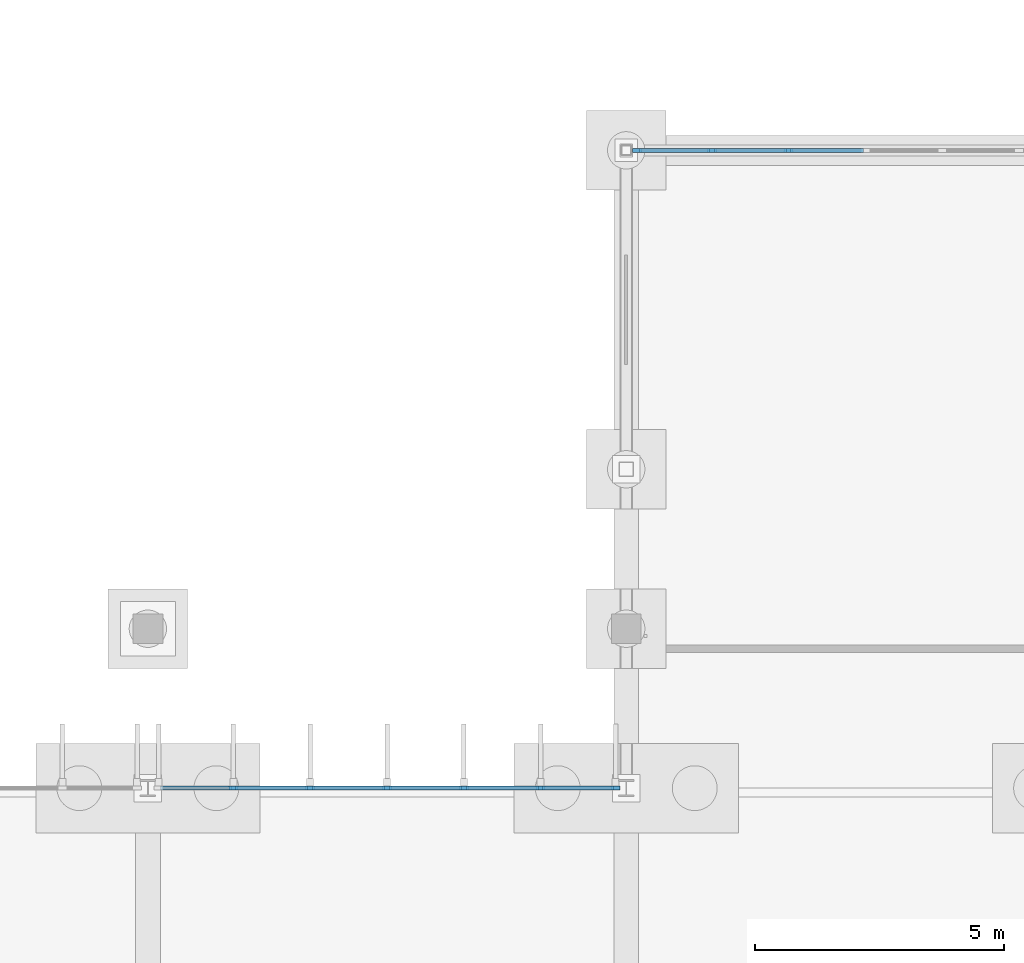
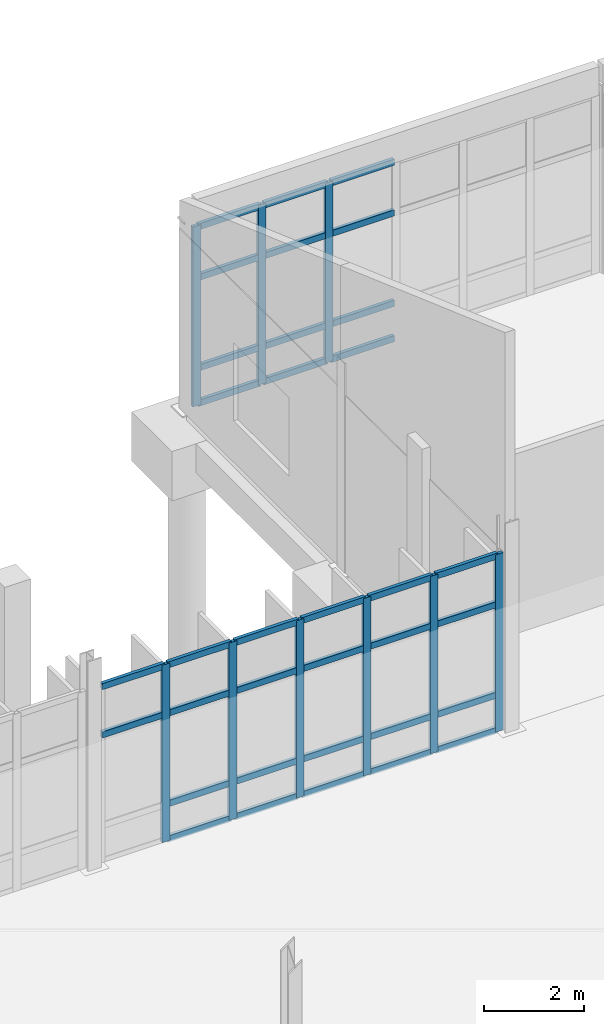
# One storey, part 26 of 111: 43 members, 2 elements without a shape of their own.
"""IFC4 building model written with IfcOpenShell, lengths in metres."""

from ifc_helpers import new_model, si_unit, direction, frame, origin, origin_2d, place, context, subcontext, project, spatial, rectangle, extrude, material, material_profile, profile_set, type_object, element, aggregate, save


model = new_model("IFC4")

# Units and contexts
model_context = context("Model", 3, precision=1e-05, world=origin(), true_north=direction((0.0, 1.0)))
body_context = subcontext(model_context, "Body", "Model", "MODEL_VIEW")
ifc_project = project(units=[si_unit("LENGTHUNIT", "METRE"), si_unit("AREAUNIT", "SQUARE_METRE"), si_unit("VOLUMEUNIT", "CUBIC_METRE"), si_unit("PLANEANGLEUNIT", "RADIAN"), si_unit("MASSUNIT", "GRAM", prefix="KILO")], contexts=[model_context])

# Site, building, storey
site_placement = place(None, origin())
site = spatial("IfcSite", under=ifc_project, at=site_placement, CompositionType="ELEMENT")
building_placement = place(site_placement, origin())
building = spatial("IfcBuilding", under=site, at=building_placement, Name="Dunescarp Central Library", CompositionType="ELEMENT")
storey_placement = place(building_placement, origin())
storey = spatial("IfcBuildingStorey", under=building, at=storey_placement, Name="L00", CompositionType="ELEMENT", Elevation=0.0)

# Curtain wall, members
ifc_material = material(Name="Marine-grade anodised aluminium 6063-T6", Category="aluminium")
curtain_wall_type = type_object("IfcCurtainWallType", Name="ARC-CW-STICK", PredefinedType="NOTDEFINED", material=ifc_material)
curtain_wall_1_placement = place(storey_placement, origin())
curtain_wall_1 = element("IfcCurtainWall", 1, at=curtain_wall_1_placement, inside=storey, type_object=curtain_wall_type, Name="L00 curtain wall CW-V2-047", PredefinedType="NOTDEFINED")
ifc_material_profile_1 = material_profile(ifc_material, rectangle(XDim=0.080078125, YDim=0.179931640625, at=origin_2d()), Name="AL 80x180")
ifc_profile_set_1 = profile_set([ifc_material_profile_1], Name="Marine-grade anodised aluminium 6063-T6")
member_type_1 = type_object("IfcMemberType", Name="ARC-CWM-180", PredefinedType="MULLION", material=ifc_profile_set_1)
member_1_placement = place(storey_placement, frame((49.716552734375, 36.800048828125, 0.0), z_axis=(0.0, 0.0, 1.0), x_axis=(0.0, 1.0, 0.0)))
member_1 = element("IfcMember", 2, at=member_1_placement, type_object=member_type_1, Name="CW-V2-047 mullion 2", PredefinedType="MULLION", context=body_context, shape_type="SweptSolid", body=[
    extrude(rectangle(XDim=0.080078125, YDim=0.179931640625, at=origin_2d()), origin(), (0.0, 0.0, 1.0), 4.31494140625),
])
member_2_placement = place(storey_placement, frame((51.25830078125, 36.800048828125, 0.0), z_axis=(0.0, 0.0, 1.0), x_axis=(0.0, 1.0, 0.0)))
member_2 = element("IfcMember", 3, at=member_2_placement, type_object=member_type_1, Name="CW-V2-047 mullion 3", PredefinedType="MULLION", context=body_context, shape_type="SweptSolid", body=[
    extrude(rectangle(XDim=0.080078125, YDim=0.179931640625, at=origin_2d()), origin(), (0.0, 0.0, 1.0), 4.31494140625),
])
member_3_placement = place(storey_placement, frame((52.800048828125, 36.800048828125, 0.0), z_axis=(0.0, 0.0, 1.0), x_axis=(0.0, 1.0, 0.0)))
member_3 = element("IfcMember", 4, at=member_3_placement, type_object=member_type_1, Name="CW-V2-047 mullion 4", PredefinedType="MULLION", context=body_context, shape_type="SweptSolid", body=[
    extrude(rectangle(XDim=0.080078125, YDim=0.179931640625, at=origin_2d()), origin(), (0.0, 0.0, 1.0), 4.31494140625),
])
member_4_placement = place(storey_placement, frame((54.341552734375, 36.800048828125, 0.0), z_axis=(0.0, 0.0, 1.0), x_axis=(0.0, 1.0, 0.0)))
member_4 = element("IfcMember", 5, at=member_4_placement, type_object=member_type_1, Name="CW-V2-047 mullion 5", PredefinedType="MULLION", context=body_context, shape_type="SweptSolid", body=[
    extrude(rectangle(XDim=0.080078125, YDim=0.179931640625, at=origin_2d()), origin(), (0.0, 0.0, 1.0), 4.31494140625),
])
member_5_placement = place(storey_placement, frame((55.88330078125, 36.800048828125, 0.0), z_axis=(0.0, 0.0, 1.0), x_axis=(0.0, 1.0, 0.0)))
member_5 = element("IfcMember", 6, at=member_5_placement, type_object=member_type_1, Name="CW-V2-047 mullion 6", PredefinedType="MULLION", context=body_context, shape_type="SweptSolid", body=[
    extrude(rectangle(XDim=0.080078125, YDim=0.179931640625, at=origin_2d()), origin(), (0.0, 0.0, 1.0), 4.31494140625),
])
member_6_placement = place(storey_placement, frame((57.385009765625, 36.800048828125, 0.0), z_axis=(0.0, 0.0, 1.0), x_axis=(0.0, 1.0, 0.0)))
member_6 = element("IfcMember", 7, at=member_6_placement, type_object=member_type_1, Name="CW-V2-047 mullion 7", PredefinedType="MULLION", context=body_context, shape_type="SweptSolid", body=[
    extrude(rectangle(XDim=0.080078125, YDim=0.179931640625, at=origin_2d()), origin(), (0.0, 0.0, 1.0), 4.31494140625),
])

curtain_wall_2_placement = place(storey_placement, origin())
curtain_wall_2 = element("IfcCurtainWall", 8, at=curtain_wall_2_placement, inside=storey, type_object=curtain_wall_type, Name="L00 curtain wall CW-CLN-189", PredefinedType="NOTDEFINED")
member_7_placement = place(storey_placement, frame((57.81494140625, 49.60009765625, 0.0), z_axis=(0.0, 0.0, 1.0), x_axis=(0.0, 1.0, 0.0)))
member_7 = element("IfcMember", 9, at=member_7_placement, type_object=member_type_1, Name="CW-CLN-189 mullion 1", PredefinedType="MULLION", context=body_context, shape_type="SweptSolid", body=[
    extrude(rectangle(XDim=0.080078125, YDim=0.179931640625, at=origin_2d()), origin(), (0.0, 0.0, 1.0), 4.3720703125),
])
member_8_placement = place(storey_placement, frame((59.316650390625, 49.60009765625, 0.0), z_axis=(0.0, 0.0, 1.0), x_axis=(0.0, 1.0, 0.0)))
member_8 = element("IfcMember", 10, at=member_8_placement, type_object=member_type_1, Name="CW-CLN-189 mullion 2", PredefinedType="MULLION", context=body_context, shape_type="SweptSolid", body=[
    extrude(rectangle(XDim=0.080078125, YDim=0.179931640625, at=origin_2d()), origin(), (0.0, 0.0, 1.0), 4.3720703125),
])
member_9_placement = place(storey_placement, frame((60.8583984375, 49.60009765625, 0.0), z_axis=(0.0, 0.0, 1.0), x_axis=(0.0, 1.0, 0.0)))
member_9 = element("IfcMember", 11, at=member_9_placement, type_object=member_type_1, Name="CW-CLN-189 mullion 3", PredefinedType="MULLION", context=body_context, shape_type="SweptSolid", body=[
    extrude(rectangle(XDim=0.080078125, YDim=0.179931640625, at=origin_2d()), origin(), (0.0, 0.0, 1.0), 4.3720703125),
])

# Member
ifc_material_profile_2 = material_profile(ifc_material, rectangle(XDim=0.080078125, YDim=0.14990234375, at=origin_2d()), Name="AL 80x150")
ifc_profile_set_2 = profile_set([ifc_material_profile_2], Name="Marine-grade anodised aluminium 6063-T6")
member_type_2 = type_object("IfcMemberType", Name="ARC-CWT-150", PredefinedType="USERDEFINED", material=ifc_profile_set_2)
member_10_placement = place(storey_placement, frame((48.2548828125, 36.800048828125, 3.10009765625), z_axis=(1.0, 0.0, 0.0), x_axis=(0.0, 1.0, 0.0)))
member_10 = element("IfcMember", 12, at=member_10_placement, type_object=member_type_2, Name="CW-V2-047 transom 1.3", ObjectType="TRANSOM", PredefinedType="USERDEFINED", context=body_context, shape_type="SweptSolid", body=[
    extrude(rectangle(XDim=0.080078125, YDim=0.14990234375, at=origin_2d()), origin(), (0.0, 0.0, 1.0), 1.421875),
])

member_11_placement = place(storey_placement, frame((48.2548828125, 36.800048828125, 4.27490234375), z_axis=(1.0, 0.0, 0.0), x_axis=(0.0, 1.0, 0.0)))
member_11 = element("IfcMember", 13, at=member_11_placement, type_object=member_type_2, Name="CW-V2-047 transom 1.4", ObjectType="TRANSOM", PredefinedType="USERDEFINED", context=body_context, shape_type="SweptSolid", body=[
    extrude(rectangle(XDim=0.080078125, YDim=0.14990234375, at=origin_2d()), origin(), (0.0, 0.0, 1.0), 1.421875),
])

member_12_placement = place(storey_placement, frame((49.756591796875, 36.800048828125, 0.0400390625), z_axis=(1.0, 0.0, 0.0), x_axis=(0.0, 1.0, 0.0)))
member_12 = element("IfcMember", 14, at=member_12_placement, type_object=member_type_2, Name="CW-V2-047 transom 2.1", ObjectType="TRANSOM", PredefinedType="USERDEFINED", context=body_context, shape_type="SweptSolid", body=[
    extrude(rectangle(XDim=0.080078125, YDim=0.14990234375, at=origin_2d()), origin(), (0.0, 0.0, 1.0), 1.461669921875),
])

member_13_placement = place(storey_placement, frame((49.756591796875, 36.800048828125, 0.89990234375), z_axis=(1.0, 0.0, 0.0), x_axis=(0.0, 1.0, 0.0)))
member_13 = element("IfcMember", 15, at=member_13_placement, type_object=member_type_2, Name="CW-V2-047 transom 2.2", ObjectType="TRANSOM", PredefinedType="USERDEFINED", context=body_context, shape_type="SweptSolid", body=[
    extrude(rectangle(XDim=0.080078125, YDim=0.14990234375, at=origin_2d()), origin(), (0.0, 0.0, 1.0), 1.461669921875),
])

member_14_placement = place(storey_placement, frame((49.756591796875, 36.800048828125, 3.10009765625), z_axis=(1.0, 0.0, 0.0), x_axis=(0.0, 1.0, 0.0)))
member_14 = element("IfcMember", 16, at=member_14_placement, type_object=member_type_2, Name="CW-V2-047 transom 2.3", ObjectType="TRANSOM", PredefinedType="USERDEFINED", context=body_context, shape_type="SweptSolid", body=[
    extrude(rectangle(XDim=0.080078125, YDim=0.14990234375, at=origin_2d()), origin(), (0.0, 0.0, 1.0), 1.461669921875),
])

member_15_placement = place(storey_placement, frame((49.756591796875, 36.800048828125, 4.27490234375), z_axis=(1.0, 0.0, 0.0), x_axis=(0.0, 1.0, 0.0)))
member_15 = element("IfcMember", 17, at=member_15_placement, type_object=member_type_2, Name="CW-V2-047 transom 2.4", ObjectType="TRANSOM", PredefinedType="USERDEFINED", context=body_context, shape_type="SweptSolid", body=[
    extrude(rectangle(XDim=0.080078125, YDim=0.14990234375, at=origin_2d()), origin(), (0.0, 0.0, 1.0), 1.461669921875),
])

member_16_placement = place(storey_placement, frame((51.29833984375, 36.800048828125, 0.0400390625), z_axis=(1.0, 0.0, 0.0), x_axis=(0.0, 1.0, 0.0)))
member_16 = element("IfcMember", 18, at=member_16_placement, type_object=member_type_2, Name="CW-V2-047 transom 3.1", ObjectType="TRANSOM", PredefinedType="USERDEFINED", context=body_context, shape_type="SweptSolid", body=[
    extrude(rectangle(XDim=0.080078125, YDim=0.14990234375, at=origin_2d()), origin(), (0.0, 0.0, 1.0), 1.461669921875),
])

member_17_placement = place(storey_placement, frame((51.29833984375, 36.800048828125, 0.89990234375), z_axis=(1.0, 0.0, 0.0), x_axis=(0.0, 1.0, 0.0)))
member_17 = element("IfcMember", 19, at=member_17_placement, type_object=member_type_2, Name="CW-V2-047 transom 3.2", ObjectType="TRANSOM", PredefinedType="USERDEFINED", context=body_context, shape_type="SweptSolid", body=[
    extrude(rectangle(XDim=0.080078125, YDim=0.14990234375, at=origin_2d()), origin(), (0.0, 0.0, 1.0), 1.461669921875),
])

member_18_placement = place(storey_placement, frame((51.29833984375, 36.800048828125, 3.10009765625), z_axis=(1.0, 0.0, 0.0), x_axis=(0.0, 1.0, 0.0)))
member_18 = element("IfcMember", 20, at=member_18_placement, type_object=member_type_2, Name="CW-V2-047 transom 3.3", ObjectType="TRANSOM", PredefinedType="USERDEFINED", context=body_context, shape_type="SweptSolid", body=[
    extrude(rectangle(XDim=0.080078125, YDim=0.14990234375, at=origin_2d()), origin(), (0.0, 0.0, 1.0), 1.461669921875),
])

member_19_placement = place(storey_placement, frame((51.29833984375, 36.800048828125, 4.27490234375), z_axis=(1.0, 0.0, 0.0), x_axis=(0.0, 1.0, 0.0)))
member_19 = element("IfcMember", 21, at=member_19_placement, type_object=member_type_2, Name="CW-V2-047 transom 3.4", ObjectType="TRANSOM", PredefinedType="USERDEFINED", context=body_context, shape_type="SweptSolid", body=[
    extrude(rectangle(XDim=0.080078125, YDim=0.14990234375, at=origin_2d()), origin(), (0.0, 0.0, 1.0), 1.461669921875),
])

member_20_placement = place(storey_placement, frame((52.840087890625, 36.800048828125, 0.0400390625), z_axis=(1.0, 0.0, 0.0), x_axis=(0.0, 1.0, 0.0)))
member_20 = element("IfcMember", 22, at=member_20_placement, type_object=member_type_2, Name="CW-V2-047 transom 4.1", ObjectType="TRANSOM", PredefinedType="USERDEFINED", context=body_context, shape_type="SweptSolid", body=[
    extrude(rectangle(XDim=0.080078125, YDim=0.14990234375, at=origin_2d()), origin(), (0.0, 0.0, 1.0), 1.461669921875),
])

member_21_placement = place(storey_placement, frame((52.840087890625, 36.800048828125, 0.89990234375), z_axis=(1.0, 0.0, 0.0), x_axis=(0.0, 1.0, 0.0)))
member_21 = element("IfcMember", 23, at=member_21_placement, type_object=member_type_2, Name="CW-V2-047 transom 4.2", ObjectType="TRANSOM", PredefinedType="USERDEFINED", context=body_context, shape_type="SweptSolid", body=[
    extrude(rectangle(XDim=0.080078125, YDim=0.14990234375, at=origin_2d()), origin(), (0.0, 0.0, 1.0), 1.461669921875),
])

member_22_placement = place(storey_placement, frame((52.840087890625, 36.800048828125, 3.10009765625), z_axis=(1.0, 0.0, 0.0), x_axis=(0.0, 1.0, 0.0)))
member_22 = element("IfcMember", 24, at=member_22_placement, type_object=member_type_2, Name="CW-V2-047 transom 4.3", ObjectType="TRANSOM", PredefinedType="USERDEFINED", context=body_context, shape_type="SweptSolid", body=[
    extrude(rectangle(XDim=0.080078125, YDim=0.14990234375, at=origin_2d()), origin(), (0.0, 0.0, 1.0), 1.461669921875),
])

member_23_placement = place(storey_placement, frame((52.840087890625, 36.800048828125, 4.27490234375), z_axis=(1.0, 0.0, 0.0), x_axis=(0.0, 1.0, 0.0)))
member_23 = element("IfcMember", 25, at=member_23_placement, type_object=member_type_2, Name="CW-V2-047 transom 4.4", ObjectType="TRANSOM", PredefinedType="USERDEFINED", context=body_context, shape_type="SweptSolid", body=[
    extrude(rectangle(XDim=0.080078125, YDim=0.14990234375, at=origin_2d()), origin(), (0.0, 0.0, 1.0), 1.461669921875),
])

member_24_placement = place(storey_placement, frame((54.381591796875, 36.800048828125, 0.0400390625), z_axis=(1.0, 0.0, 0.0), x_axis=(0.0, 1.0, 0.0)))
member_24 = element("IfcMember", 26, at=member_24_placement, type_object=member_type_2, Name="CW-V2-047 transom 5.1", ObjectType="TRANSOM", PredefinedType="USERDEFINED", context=body_context, shape_type="SweptSolid", body=[
    extrude(rectangle(XDim=0.080078125, YDim=0.14990234375, at=origin_2d()), origin(), (0.0, 0.0, 1.0), 1.461669921875),
])

member_25_placement = place(storey_placement, frame((54.381591796875, 36.800048828125, 0.89990234375), z_axis=(1.0, 0.0, 0.0), x_axis=(0.0, 1.0, 0.0)))
member_25 = element("IfcMember", 27, at=member_25_placement, type_object=member_type_2, Name="CW-V2-047 transom 5.2", ObjectType="TRANSOM", PredefinedType="USERDEFINED", context=body_context, shape_type="SweptSolid", body=[
    extrude(rectangle(XDim=0.080078125, YDim=0.14990234375, at=origin_2d()), origin(), (0.0, 0.0, 1.0), 1.461669921875),
])

member_26_placement = place(storey_placement, frame((54.381591796875, 36.800048828125, 3.10009765625), z_axis=(1.0, 0.0, 0.0), x_axis=(0.0, 1.0, 0.0)))
member_26 = element("IfcMember", 28, at=member_26_placement, type_object=member_type_2, Name="CW-V2-047 transom 5.3", ObjectType="TRANSOM", PredefinedType="USERDEFINED", context=body_context, shape_type="SweptSolid", body=[
    extrude(rectangle(XDim=0.080078125, YDim=0.14990234375, at=origin_2d()), origin(), (0.0, 0.0, 1.0), 1.461669921875),
])

member_27_placement = place(storey_placement, frame((54.381591796875, 36.800048828125, 4.27490234375), z_axis=(1.0, 0.0, 0.0), x_axis=(0.0, 1.0, 0.0)))
member_27 = element("IfcMember", 29, at=member_27_placement, type_object=member_type_2, Name="CW-V2-047 transom 5.4", ObjectType="TRANSOM", PredefinedType="USERDEFINED", context=body_context, shape_type="SweptSolid", body=[
    extrude(rectangle(XDim=0.080078125, YDim=0.14990234375, at=origin_2d()), origin(), (0.0, 0.0, 1.0), 1.461669921875),
])

member_28_placement = place(storey_placement, frame((55.92333984375, 36.800048828125, 0.0400390625), z_axis=(1.0, 0.0, 0.0), x_axis=(0.0, 1.0, 0.0)))
member_28 = element("IfcMember", 30, at=member_28_placement, type_object=member_type_2, Name="CW-V2-047 transom 6.1", ObjectType="TRANSOM", PredefinedType="USERDEFINED", context=body_context, shape_type="SweptSolid", body=[
    extrude(rectangle(XDim=0.080078125, YDim=0.14990234375, at=origin_2d()), origin(), (0.0, 0.0, 1.0), 1.421630859375),
])

member_29_placement = place(storey_placement, frame((55.92333984375, 36.800048828125, 0.89990234375), z_axis=(1.0, 0.0, 0.0), x_axis=(0.0, 1.0, 0.0)))
member_29 = element("IfcMember", 31, at=member_29_placement, type_object=member_type_2, Name="CW-V2-047 transom 6.2", ObjectType="TRANSOM", PredefinedType="USERDEFINED", context=body_context, shape_type="SweptSolid", body=[
    extrude(rectangle(XDim=0.080078125, YDim=0.14990234375, at=origin_2d()), origin(), (0.0, 0.0, 1.0), 1.421630859375),
])

member_30_placement = place(storey_placement, frame((55.92333984375, 36.800048828125, 3.10009765625), z_axis=(1.0, 0.0, 0.0), x_axis=(0.0, 1.0, 0.0)))
member_30 = element("IfcMember", 32, at=member_30_placement, type_object=member_type_2, Name="CW-V2-047 transom 6.3", ObjectType="TRANSOM", PredefinedType="USERDEFINED", context=body_context, shape_type="SweptSolid", body=[
    extrude(rectangle(XDim=0.080078125, YDim=0.14990234375, at=origin_2d()), origin(), (0.0, 0.0, 1.0), 1.421630859375),
])

member_31_placement = place(storey_placement, frame((55.92333984375, 36.800048828125, 4.27490234375), z_axis=(1.0, 0.0, 0.0), x_axis=(0.0, 1.0, 0.0)))
member_31 = element("IfcMember", 33, at=member_31_placement, type_object=member_type_2, Name="CW-V2-047 transom 6.4", ObjectType="TRANSOM", PredefinedType="USERDEFINED", context=body_context, shape_type="SweptSolid", body=[
    extrude(rectangle(XDim=0.080078125, YDim=0.14990234375, at=origin_2d()), origin(), (0.0, 0.0, 1.0), 1.421630859375),
])

aggregate(curtain_wall_1, [member_1, member_2, member_3, member_4, member_5, member_6, member_10, member_11, member_12, member_13, member_14, member_15, member_16, member_17, member_18, member_19, member_20, member_21, member_22, member_23, member_24, member_25, member_26, member_27, member_28, member_29, member_30, member_31])

member_32_placement = place(storey_placement, frame((57.85498046875, 49.60009765625, 0.0400390625), z_axis=(1.0, 0.0, 0.0), x_axis=(0.0, 1.0, 0.0)))
member_32 = element("IfcMember", 34, at=member_32_placement, type_object=member_type_2, Name="CW-CLN-189 transom 1.1", ObjectType="TRANSOM", PredefinedType="USERDEFINED", context=body_context, shape_type="SweptSolid", body=[
    extrude(rectangle(XDim=0.080078125, YDim=0.14990234375, at=origin_2d()), origin(), (0.0, 0.0, 1.0), 1.421630859375),
])

member_33_placement = place(storey_placement, frame((57.85498046875, 49.60009765625, 0.89990234375), z_axis=(1.0, 0.0, 0.0), x_axis=(0.0, 1.0, 0.0)))
member_33 = element("IfcMember", 35, at=member_33_placement, type_object=member_type_2, Name="CW-CLN-189 transom 1.2", ObjectType="TRANSOM", PredefinedType="USERDEFINED", context=body_context, shape_type="SweptSolid", body=[
    extrude(rectangle(XDim=0.080078125, YDim=0.14990234375, at=origin_2d()), origin(), (0.0, 0.0, 1.0), 1.421630859375),
])

member_34_placement = place(storey_placement, frame((57.85498046875, 49.60009765625, 3.10009765625), z_axis=(1.0, 0.0, 0.0), x_axis=(0.0, 1.0, 0.0)))
member_34 = element("IfcMember", 36, at=member_34_placement, type_object=member_type_2, Name="CW-CLN-189 transom 1.3", ObjectType="TRANSOM", PredefinedType="USERDEFINED", context=body_context, shape_type="SweptSolid", body=[
    extrude(rectangle(XDim=0.080078125, YDim=0.14990234375, at=origin_2d()), origin(), (0.0, 0.0, 1.0), 1.421630859375),
])

member_35_placement = place(storey_placement, frame((57.85498046875, 49.60009765625, 4.33203125), z_axis=(1.0, 0.0, 0.0), x_axis=(0.0, 1.0, 0.0)))
member_35 = element("IfcMember", 37, at=member_35_placement, type_object=member_type_2, Name="CW-CLN-189 transom 1.4", ObjectType="TRANSOM", PredefinedType="USERDEFINED", context=body_context, shape_type="SweptSolid", body=[
    extrude(rectangle(XDim=0.080078125, YDim=0.14990234375, at=origin_2d()), origin(), (0.0, 0.0, 1.0), 1.421630859375),
])

member_36_placement = place(storey_placement, frame((59.356689453125, 49.60009765625, 0.0400390625), z_axis=(1.0, 0.0, 0.0), x_axis=(0.0, 1.0, 0.0)))
member_36 = element("IfcMember", 38, at=member_36_placement, type_object=member_type_2, Name="CW-CLN-189 transom 2.1", ObjectType="TRANSOM", PredefinedType="USERDEFINED", context=body_context, shape_type="SweptSolid", body=[
    extrude(rectangle(XDim=0.080078125, YDim=0.14990234375, at=origin_2d()), origin(), (0.0, 0.0, 1.0), 1.461669921875),
])

member_37_placement = place(storey_placement, frame((59.356689453125, 49.60009765625, 0.89990234375), z_axis=(1.0, 0.0, 0.0), x_axis=(0.0, 1.0, 0.0)))
member_37 = element("IfcMember", 39, at=member_37_placement, type_object=member_type_2, Name="CW-CLN-189 transom 2.2", ObjectType="TRANSOM", PredefinedType="USERDEFINED", context=body_context, shape_type="SweptSolid", body=[
    extrude(rectangle(XDim=0.080078125, YDim=0.14990234375, at=origin_2d()), origin(), (0.0, 0.0, 1.0), 1.461669921875),
])

member_38_placement = place(storey_placement, frame((59.356689453125, 49.60009765625, 3.10009765625), z_axis=(1.0, 0.0, 0.0), x_axis=(0.0, 1.0, 0.0)))
member_38 = element("IfcMember", 40, at=member_38_placement, type_object=member_type_2, Name="CW-CLN-189 transom 2.3", ObjectType="TRANSOM", PredefinedType="USERDEFINED", context=body_context, shape_type="SweptSolid", body=[
    extrude(rectangle(XDim=0.080078125, YDim=0.14990234375, at=origin_2d()), origin(), (0.0, 0.0, 1.0), 1.461669921875),
])

member_39_placement = place(storey_placement, frame((59.356689453125, 49.60009765625, 4.33203125), z_axis=(1.0, 0.0, 0.0), x_axis=(0.0, 1.0, 0.0)))
member_39 = element("IfcMember", 41, at=member_39_placement, type_object=member_type_2, Name="CW-CLN-189 transom 2.4", ObjectType="TRANSOM", PredefinedType="USERDEFINED", context=body_context, shape_type="SweptSolid", body=[
    extrude(rectangle(XDim=0.080078125, YDim=0.14990234375, at=origin_2d()), origin(), (0.0, 0.0, 1.0), 1.461669921875),
])

member_40_placement = place(storey_placement, frame((60.8984375, 49.60009765625, 0.0400390625), z_axis=(1.0, 0.0, 0.0), x_axis=(0.0, 1.0, 0.0)))
member_40 = element("IfcMember", 42, at=member_40_placement, type_object=member_type_2, Name="CW-CLN-189 transom 3.1", ObjectType="TRANSOM", PredefinedType="USERDEFINED", context=body_context, shape_type="SweptSolid", body=[
    extrude(rectangle(XDim=0.080078125, YDim=0.14990234375, at=origin_2d()), origin(), (0.0, 0.0, 1.0), 1.461669921875),
])

member_41_placement = place(storey_placement, frame((60.8984375, 49.60009765625, 0.89990234375), z_axis=(1.0, 0.0, 0.0), x_axis=(0.0, 1.0, 0.0)))
member_41 = element("IfcMember", 43, at=member_41_placement, type_object=member_type_2, Name="CW-CLN-189 transom 3.2", ObjectType="TRANSOM", PredefinedType="USERDEFINED", context=body_context, shape_type="SweptSolid", body=[
    extrude(rectangle(XDim=0.080078125, YDim=0.14990234375, at=origin_2d()), origin(), (0.0, 0.0, 1.0), 1.461669921875),
])

member_42_placement = place(storey_placement, frame((60.8984375, 49.60009765625, 3.10009765625), z_axis=(1.0, 0.0, 0.0), x_axis=(0.0, 1.0, 0.0)))
member_42 = element("IfcMember", 44, at=member_42_placement, type_object=member_type_2, Name="CW-CLN-189 transom 3.3", ObjectType="TRANSOM", PredefinedType="USERDEFINED", context=body_context, shape_type="SweptSolid", body=[
    extrude(rectangle(XDim=0.080078125, YDim=0.14990234375, at=origin_2d()), origin(), (0.0, 0.0, 1.0), 1.461669921875),
])

member_43_placement = place(storey_placement, frame((60.8984375, 49.60009765625, 4.33203125), z_axis=(1.0, 0.0, 0.0), x_axis=(0.0, 1.0, 0.0)))
member_43 = element("IfcMember", 45, at=member_43_placement, type_object=member_type_2, Name="CW-CLN-189 transom 3.4", ObjectType="TRANSOM", PredefinedType="USERDEFINED", context=body_context, shape_type="SweptSolid", body=[
    extrude(rectangle(XDim=0.080078125, YDim=0.14990234375, at=origin_2d()), origin(), (0.0, 0.0, 1.0), 1.461669921875),
])

aggregate(curtain_wall_2, [member_7, member_8, member_9, member_32, member_33, member_34, member_35, member_36, member_37, member_38, member_39, member_40, member_41, member_42, member_43])

save(model, "model.ifc")
